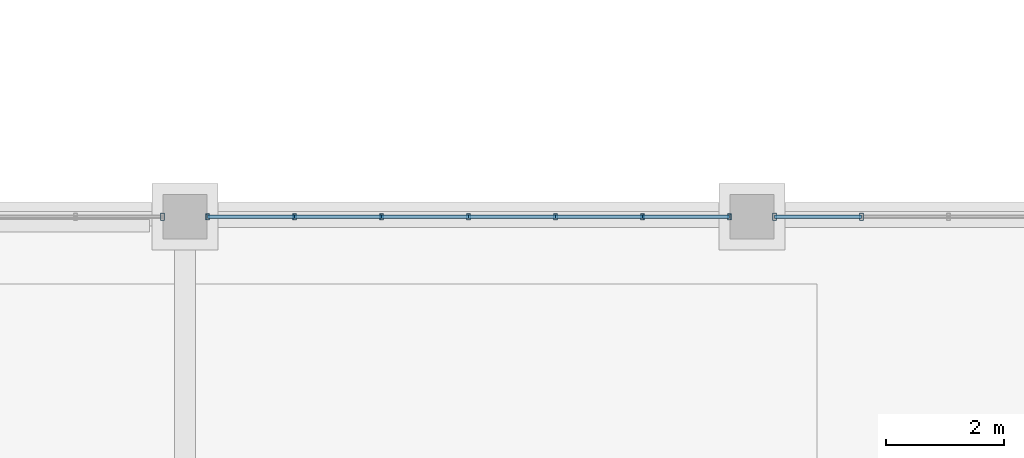
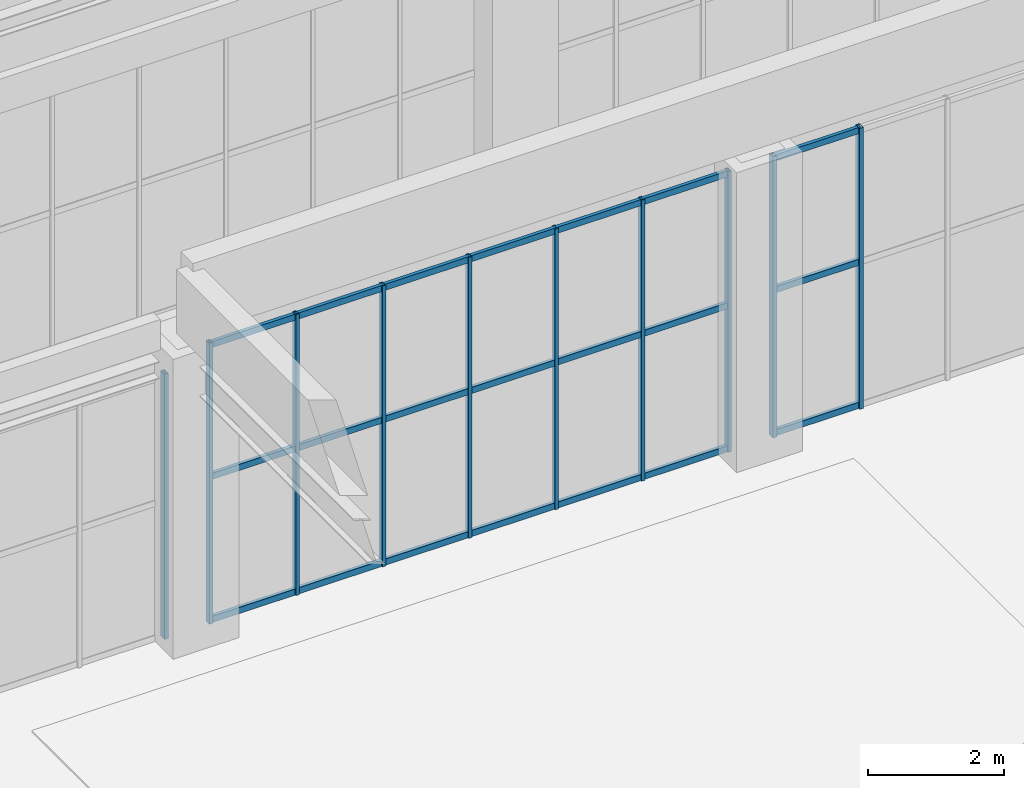
# One storey, part 95 of 164: 31 members, 3 elements without a shape of their own.
"""IFC4 building model written with IfcOpenShell, lengths in metres."""

from ifc_helpers import new_model, si_unit, direction, frame, origin, origin_2d, place, context, subcontext, project, spatial, hollow_rectangle, extrude, material, material_profile, profile_set, type_object, element, aggregate, save


model = new_model("IFC4")

# Units and contexts
model_context = context("Model", 3, precision=1e-05, world=origin(), true_north=direction((0.0, 1.0)))
body_context = subcontext(model_context, "Body", "Model", "MODEL_VIEW")
ifc_project = project(units=[si_unit("LENGTHUNIT", "METRE"), si_unit("AREAUNIT", "SQUARE_METRE"), si_unit("VOLUMEUNIT", "CUBIC_METRE"), si_unit("PLANEANGLEUNIT", "RADIAN"), si_unit("MASSUNIT", "GRAM", prefix="KILO")], contexts=[model_context])

# Site, building, storey
site_placement = place(None, origin())
site = spatial("IfcSite", under=ifc_project, at=site_placement, CompositionType="ELEMENT")
building_placement = place(site_placement, origin())
building = spatial("IfcBuilding", under=site, at=building_placement, Name="Mavantir Sound Aquarium", CompositionType="ELEMENT")
storey_placement = place(building_placement, origin())
storey = spatial("IfcBuildingStorey", under=building, at=storey_placement, Name="L00", CompositionType="ELEMENT", Elevation=0.0)

# Curtain wall, members
ifc_material_1 = material(Name="Anodised Marine Aluminium and Low-E Glass", Category="aluminium")
curtain_wall_type_1 = type_object("IfcCurtainWallType", Name="CW-T01", PredefinedType="USERDEFINED", material=ifc_material_1)
curtain_wall_1_placement = place(storey_placement, origin())
curtain_wall_1 = element("IfcCurtainWall", 1, at=curtain_wall_1_placement, inside=storey, type_object=curtain_wall_type_1, Name="L00 unitised curtain wall CW-01 49", ObjectType="UNITISED GLAZING", PredefinedType="USERDEFINED")
ifc_material_2 = material(Name="Anodised Marine Aluminium 6063-T6", Category="aluminium")
ifc_material_profile_1 = material_profile(ifc_material_2, hollow_rectangle(XDim=0.06005859375, YDim=0.10009765625, WallThickness=0.00390625, at=origin_2d()), Name="ALU-MULLION-100X60")
ifc_profile_set_1 = profile_set([ifc_material_profile_1], Name="Anodised Marine Aluminium 6063-T6")
member_type_1 = type_object("IfcMemberType", Name="CW-MUL-100", PredefinedType="MULLION", material=ifc_profile_set_1)
member_1_placement = place(storey_placement, frame((155.616943359375, 28.800048828125, 0.0), z_axis=(0.0, 0.0, 1.0), x_axis=(1.0, 0.0, 0.0)))
member_1 = element("IfcMember", 2, at=member_1_placement, type_object=member_type_1, Name="CW-L00-049 vertical mullion 1", PredefinedType="MULLION", context=body_context, shape_type="SweptSolid", body=[
    extrude(hollow_rectangle(XDim=0.06005859375, YDim=0.10009765625, WallThickness=0.00390625, at=origin_2d()), origin(), (0.0, 0.0, 1.0), 5.06005859375),
])
member_2_placement = place(storey_placement, frame((154.144775390625, 28.800048828125, 0.0), z_axis=(0.0, 0.0, 1.0), x_axis=(1.0, 0.0, 0.0)))
member_2 = element("IfcMember", 3, at=member_2_placement, type_object=member_type_1, Name="CW-L00-049 vertical mullion 2", PredefinedType="MULLION", context=body_context, shape_type="SweptSolid", body=[
    extrude(hollow_rectangle(XDim=0.06005859375, YDim=0.10009765625, WallThickness=0.00390625, at=origin_2d()), origin(), (0.0, 0.0, 1.0), 5.06005859375),
])
member_3_placement = place(storey_placement, frame((152.67236328125, 28.800048828125, 0.0), z_axis=(0.0, 0.0, 1.0), x_axis=(1.0, 0.0, 0.0)))
member_3 = element("IfcMember", 4, at=member_3_placement, type_object=member_type_1, Name="CW-L00-049 vertical mullion 3", PredefinedType="MULLION", context=body_context, shape_type="SweptSolid", body=[
    extrude(hollow_rectangle(XDim=0.06005859375, YDim=0.10009765625, WallThickness=0.00390625, at=origin_2d()), origin(), (0.0, 0.0, 1.0), 5.06005859375),
])
member_4_placement = place(storey_placement, frame((151.199951171875, 28.800048828125, 0.0), z_axis=(0.0, 0.0, 1.0), x_axis=(1.0, 0.0, 0.0)))
member_4 = element("IfcMember", 5, at=member_4_placement, type_object=member_type_1, Name="CW-L00-049 vertical mullion 4", PredefinedType="MULLION", context=body_context, shape_type="SweptSolid", body=[
    extrude(hollow_rectangle(XDim=0.06005859375, YDim=0.10009765625, WallThickness=0.00390625, at=origin_2d()), origin(), (0.0, 0.0, 1.0), 5.06005859375),
])
member_5_placement = place(storey_placement, frame((149.727783203125, 28.800048828125, 0.0), z_axis=(0.0, 0.0, 1.0), x_axis=(1.0, 0.0, 0.0)))
member_5 = element("IfcMember", 6, at=member_5_placement, type_object=member_type_1, Name="CW-L00-049 vertical mullion 5", PredefinedType="MULLION", context=body_context, shape_type="SweptSolid", body=[
    extrude(hollow_rectangle(XDim=0.06005859375, YDim=0.10009765625, WallThickness=0.00390625, at=origin_2d()), origin(), (0.0, 0.0, 1.0), 5.06005859375),
])
member_6_placement = place(storey_placement, frame((148.25537109375, 28.800048828125, 0.0), z_axis=(0.0, 0.0, 1.0), x_axis=(1.0, 0.0, 0.0)))
member_6 = element("IfcMember", 7, at=member_6_placement, type_object=member_type_1, Name="CW-L00-049 vertical mullion 6", PredefinedType="MULLION", context=body_context, shape_type="SweptSolid", body=[
    extrude(hollow_rectangle(XDim=0.06005859375, YDim=0.10009765625, WallThickness=0.00390625, at=origin_2d()), origin(), (0.0, 0.0, 1.0), 5.06005859375),
])
member_7_placement = place(storey_placement, frame((146.782958984375, 28.800048828125, 0.0), z_axis=(0.0, 0.0, 1.0), x_axis=(1.0, 0.0, 0.0)))
member_7 = element("IfcMember", 8, at=member_7_placement, type_object=member_type_1, Name="CW-L00-049 vertical mullion 7", PredefinedType="MULLION", context=body_context, shape_type="SweptSolid", body=[
    extrude(hollow_rectangle(XDim=0.06005859375, YDim=0.10009765625, WallThickness=0.00390625, at=origin_2d()), origin(), (0.0, 0.0, 1.0), 5.06005859375),
])

curtain_wall_type_2 = type_object("IfcCurtainWallType", Name="CW-T24", PredefinedType="USERDEFINED", material=ifc_material_1)
curtain_wall_2_placement = place(storey_placement, origin())
curtain_wall_2 = element("IfcCurtainWall", 9, at=curtain_wall_2_placement, inside=storey, type_object=curtain_wall_type_2, Name="L00 unitised curtain wall CW-24 48", ObjectType="UNITISED GLAZING", PredefinedType="USERDEFINED")
ifc_material_profile_2 = material_profile(ifc_material_2, hollow_rectangle(XDim=0.06494140625, YDim=0.1201171875, WallThickness=0.00390625, at=origin_2d()), Name="ALU-MULLION-120X65")
ifc_profile_set_2 = profile_set([ifc_material_profile_2], Name="Anodised Marine Aluminium 6063-T6")
member_type_2 = type_object("IfcMemberType", Name="CW-MUL-120", PredefinedType="MULLION", material=ifc_profile_set_2)
member_8_placement = place(storey_placement, frame((157.855224609375, 28.800048828125, 0.0), z_axis=(0.0, 0.0, 1.0), x_axis=(1.0, 0.0, 0.0)))
member_8 = element("IfcMember", 10, at=member_8_placement, type_object=member_type_2, Name="CW-L00-048 vertical mullion 6", PredefinedType="MULLION", context=body_context, shape_type="SweptSolid", body=[
    extrude(hollow_rectangle(XDim=0.06494140625, YDim=0.1201171875, WallThickness=0.00390625, at=origin_2d()), origin(), (0.0, 0.0, 1.0), 5.06005859375),
])
member_9_placement = place(storey_placement, frame((156.383056640625, 28.800048828125, 0.0), z_axis=(0.0, 0.0, 1.0), x_axis=(1.0, 0.0, 0.0)))
member_9 = element("IfcMember", 11, at=member_9_placement, type_object=member_type_2, Name="CW-L00-048 vertical mullion 7", PredefinedType="MULLION", context=body_context, shape_type="SweptSolid", body=[
    extrude(hollow_rectangle(XDim=0.06494140625, YDim=0.1201171875, WallThickness=0.00390625, at=origin_2d()), origin(), (0.0, 0.0, 1.0), 5.06005859375),
])

# Curtain wall, member
curtain_wall_type_3 = type_object("IfcCurtainWallType", Name="CW-T02", PredefinedType="USERDEFINED", material=ifc_material_1)
curtain_wall_3_placement = place(storey_placement, origin())
curtain_wall_3 = element("IfcCurtainWall", 12, at=curtain_wall_3_placement, inside=storey, type_object=curtain_wall_type_3, Name="L00 unitised curtain wall CW-02 50", ObjectType="UNITISED GLAZING", PredefinedType="USERDEFINED")
member_10_placement = place(storey_placement, frame((146.01708984375, 28.800048828125, 0.0), z_axis=(0.0, 0.0, 1.0), x_axis=(1.0, 0.0, 0.0)))
member_10 = element("IfcMember", 13, at=member_10_placement, type_object=member_type_2, Name="CW-L00-050 vertical mullion 1", PredefinedType="MULLION", context=body_context, shape_type="SweptSolid", body=[
    extrude(hollow_rectangle(XDim=0.06494140625, YDim=0.1201171875, WallThickness=0.00390625, at=origin_2d()), origin(), (0.0, 0.0, 1.0), 4.778076171875),
])
aggregate(curtain_wall_3, [member_10])

# Member
ifc_material_profile_3 = material_profile(ifc_material_2, hollow_rectangle(XDim=0.06005859375, YDim=0.110107421875, WallThickness=0.00390625, at=origin_2d()), Name="ALU-TRANSOM-110X60")
ifc_profile_set_3 = profile_set([ifc_material_profile_3], Name="Anodised Marine Aluminium 6063-T6")
member_type_3 = type_object("IfcMemberType", Name="CW-TRN-110", PredefinedType="USERDEFINED", material=ifc_profile_set_3)
member_11_placement = place(storey_placement, frame((157.855224609375, 28.800048828125, 0.054931640625), z_axis=(-1.0, 0.0, 0.0), x_axis=(0.0, -1.0, 0.0)))
member_11 = element("IfcMember", 14, at=member_11_placement, type_object=member_type_3, Name="CW-L00-048 transom 6.1", ObjectType="TRANSOM", PredefinedType="USERDEFINED", context=body_context, shape_type="SweptSolid", body=[
    extrude(hollow_rectangle(XDim=0.06005859375, YDim=0.110107421875, WallThickness=0.00390625, at=origin_2d()), origin(), (0.0, 0.0, 1.0), 1.47216796875),
])

member_12_placement = place(storey_placement, frame((157.855224609375, 28.800048828125, 2.631103515625), z_axis=(-1.0, 0.0, 0.0), x_axis=(0.0, -1.0, 0.0)))
member_12 = element("IfcMember", 15, at=member_12_placement, type_object=member_type_3, Name="CW-L00-048 transom 6.2", ObjectType="TRANSOM", PredefinedType="USERDEFINED", context=body_context, shape_type="SweptSolid", body=[
    extrude(hollow_rectangle(XDim=0.06005859375, YDim=0.110107421875, WallThickness=0.00390625, at=origin_2d()), origin(), (0.0, 0.0, 1.0), 1.47216796875),
])

member_13_placement = place(storey_placement, frame((157.855224609375, 28.800048828125, 5.0048828125), z_axis=(-1.0, 0.0, 0.0), x_axis=(0.0, -1.0, 0.0)))
member_13 = element("IfcMember", 16, at=member_13_placement, type_object=member_type_3, Name="CW-L00-048 transom 6.3", ObjectType="TRANSOM", PredefinedType="USERDEFINED", context=body_context, shape_type="SweptSolid", body=[
    extrude(hollow_rectangle(XDim=0.06005859375, YDim=0.110107421875, WallThickness=0.00390625, at=origin_2d()), origin(), (0.0, 0.0, 1.0), 1.47216796875),
])

aggregate(curtain_wall_2, [member_8, member_9, member_11, member_12, member_13])

member_14_placement = place(storey_placement, frame((155.616943359375, 28.800048828125, 0.054931640625), z_axis=(-1.0, 0.0, 0.0), x_axis=(0.0, -1.0, 0.0)))
member_14 = element("IfcMember", 17, at=member_14_placement, type_object=member_type_3, Name="CW-L00-049 transom 1.1", ObjectType="TRANSOM", PredefinedType="USERDEFINED", context=body_context, shape_type="SweptSolid", body=[
    extrude(hollow_rectangle(XDim=0.06005859375, YDim=0.110107421875, WallThickness=0.00390625, at=origin_2d()), origin(), (0.0, 0.0, 1.0), 1.47216796875),
])

member_15_placement = place(storey_placement, frame((155.616943359375, 28.800048828125, 2.631103515625), z_axis=(-1.0, 0.0, 0.0), x_axis=(0.0, -1.0, 0.0)))
member_15 = element("IfcMember", 18, at=member_15_placement, type_object=member_type_3, Name="CW-L00-049 transom 1.2", ObjectType="TRANSOM", PredefinedType="USERDEFINED", context=body_context, shape_type="SweptSolid", body=[
    extrude(hollow_rectangle(XDim=0.06005859375, YDim=0.110107421875, WallThickness=0.00390625, at=origin_2d()), origin(), (0.0, 0.0, 1.0), 1.47216796875),
])

member_16_placement = place(storey_placement, frame((155.616943359375, 28.800048828125, 5.0048828125), z_axis=(-1.0, 0.0, 0.0), x_axis=(0.0, -1.0, 0.0)))
member_16 = element("IfcMember", 19, at=member_16_placement, type_object=member_type_3, Name="CW-L00-049 transom 1.3", ObjectType="TRANSOM", PredefinedType="USERDEFINED", context=body_context, shape_type="SweptSolid", body=[
    extrude(hollow_rectangle(XDim=0.06005859375, YDim=0.110107421875, WallThickness=0.00390625, at=origin_2d()), origin(), (0.0, 0.0, 1.0), 1.47216796875),
])

member_17_placement = place(storey_placement, frame((154.144775390625, 28.800048828125, 0.054931640625), z_axis=(-1.0, 0.0, 0.0), x_axis=(0.0, -1.0, 0.0)))
member_17 = element("IfcMember", 20, at=member_17_placement, type_object=member_type_3, Name="CW-L00-049 transom 2.1", ObjectType="TRANSOM", PredefinedType="USERDEFINED", context=body_context, shape_type="SweptSolid", body=[
    extrude(hollow_rectangle(XDim=0.06005859375, YDim=0.110107421875, WallThickness=0.00390625, at=origin_2d()), origin(), (0.0, 0.0, 1.0), 1.472412109375),
])

member_18_placement = place(storey_placement, frame((154.144775390625, 28.800048828125, 2.631103515625), z_axis=(-1.0, 0.0, 0.0), x_axis=(0.0, -1.0, 0.0)))
member_18 = element("IfcMember", 21, at=member_18_placement, type_object=member_type_3, Name="CW-L00-049 transom 2.2", ObjectType="TRANSOM", PredefinedType="USERDEFINED", context=body_context, shape_type="SweptSolid", body=[
    extrude(hollow_rectangle(XDim=0.06005859375, YDim=0.110107421875, WallThickness=0.00390625, at=origin_2d()), origin(), (0.0, 0.0, 1.0), 1.472412109375),
])

member_19_placement = place(storey_placement, frame((154.144775390625, 28.800048828125, 5.0048828125), z_axis=(-1.0, 0.0, 0.0), x_axis=(0.0, -1.0, 0.0)))
member_19 = element("IfcMember", 22, at=member_19_placement, type_object=member_type_3, Name="CW-L00-049 transom 2.3", ObjectType="TRANSOM", PredefinedType="USERDEFINED", context=body_context, shape_type="SweptSolid", body=[
    extrude(hollow_rectangle(XDim=0.06005859375, YDim=0.110107421875, WallThickness=0.00390625, at=origin_2d()), origin(), (0.0, 0.0, 1.0), 1.472412109375),
])

member_20_placement = place(storey_placement, frame((152.67236328125, 28.800048828125, 0.054931640625), z_axis=(-1.0, 0.0, 0.0), x_axis=(0.0, -1.0, 0.0)))
member_20 = element("IfcMember", 23, at=member_20_placement, type_object=member_type_3, Name="CW-L00-049 transom 3.1", ObjectType="TRANSOM", PredefinedType="USERDEFINED", context=body_context, shape_type="SweptSolid", body=[
    extrude(hollow_rectangle(XDim=0.06005859375, YDim=0.110107421875, WallThickness=0.00390625, at=origin_2d()), origin(), (0.0, 0.0, 1.0), 1.472412109375),
])

member_21_placement = place(storey_placement, frame((152.67236328125, 28.800048828125, 2.631103515625), z_axis=(-1.0, 0.0, 0.0), x_axis=(0.0, -1.0, 0.0)))
member_21 = element("IfcMember", 24, at=member_21_placement, type_object=member_type_3, Name="CW-L00-049 transom 3.2", ObjectType="TRANSOM", PredefinedType="USERDEFINED", context=body_context, shape_type="SweptSolid", body=[
    extrude(hollow_rectangle(XDim=0.06005859375, YDim=0.110107421875, WallThickness=0.00390625, at=origin_2d()), origin(), (0.0, 0.0, 1.0), 1.472412109375),
])

member_22_placement = place(storey_placement, frame((152.67236328125, 28.800048828125, 5.0048828125), z_axis=(-1.0, 0.0, 0.0), x_axis=(0.0, -1.0, 0.0)))
member_22 = element("IfcMember", 25, at=member_22_placement, type_object=member_type_3, Name="CW-L00-049 transom 3.3", ObjectType="TRANSOM", PredefinedType="USERDEFINED", context=body_context, shape_type="SweptSolid", body=[
    extrude(hollow_rectangle(XDim=0.06005859375, YDim=0.110107421875, WallThickness=0.00390625, at=origin_2d()), origin(), (0.0, 0.0, 1.0), 1.472412109375),
])

member_23_placement = place(storey_placement, frame((151.199951171875, 28.800048828125, 0.054931640625), z_axis=(-1.0, 0.0, 0.0), x_axis=(0.0, -1.0, 0.0)))
member_23 = element("IfcMember", 26, at=member_23_placement, type_object=member_type_3, Name="CW-L00-049 transom 4.1", ObjectType="TRANSOM", PredefinedType="USERDEFINED", context=body_context, shape_type="SweptSolid", body=[
    extrude(hollow_rectangle(XDim=0.06005859375, YDim=0.110107421875, WallThickness=0.00390625, at=origin_2d()), origin(), (0.0, 0.0, 1.0), 1.47216796875),
])

member_24_placement = place(storey_placement, frame((151.199951171875, 28.800048828125, 2.631103515625), z_axis=(-1.0, 0.0, 0.0), x_axis=(0.0, -1.0, 0.0)))
member_24 = element("IfcMember", 27, at=member_24_placement, type_object=member_type_3, Name="CW-L00-049 transom 4.2", ObjectType="TRANSOM", PredefinedType="USERDEFINED", context=body_context, shape_type="SweptSolid", body=[
    extrude(hollow_rectangle(XDim=0.06005859375, YDim=0.110107421875, WallThickness=0.00390625, at=origin_2d()), origin(), (0.0, 0.0, 1.0), 1.47216796875),
])

member_25_placement = place(storey_placement, frame((151.199951171875, 28.800048828125, 5.0048828125), z_axis=(-1.0, 0.0, 0.0), x_axis=(0.0, -1.0, 0.0)))
member_25 = element("IfcMember", 28, at=member_25_placement, type_object=member_type_3, Name="CW-L00-049 transom 4.3", ObjectType="TRANSOM", PredefinedType="USERDEFINED", context=body_context, shape_type="SweptSolid", body=[
    extrude(hollow_rectangle(XDim=0.06005859375, YDim=0.110107421875, WallThickness=0.00390625, at=origin_2d()), origin(), (0.0, 0.0, 1.0), 1.47216796875),
])

member_26_placement = place(storey_placement, frame((149.727783203125, 28.800048828125, 0.054931640625), z_axis=(-1.0, 0.0, 0.0), x_axis=(0.0, -1.0, 0.0)))
member_26 = element("IfcMember", 29, at=member_26_placement, type_object=member_type_3, Name="CW-L00-049 transom 5.1", ObjectType="TRANSOM", PredefinedType="USERDEFINED", context=body_context, shape_type="SweptSolid", body=[
    extrude(hollow_rectangle(XDim=0.06005859375, YDim=0.110107421875, WallThickness=0.00390625, at=origin_2d()), origin(), (0.0, 0.0, 1.0), 1.472412109375),
])

member_27_placement = place(storey_placement, frame((149.727783203125, 28.800048828125, 2.631103515625), z_axis=(-1.0, 0.0, 0.0), x_axis=(0.0, -1.0, 0.0)))
member_27 = element("IfcMember", 30, at=member_27_placement, type_object=member_type_3, Name="CW-L00-049 transom 5.2", ObjectType="TRANSOM", PredefinedType="USERDEFINED", context=body_context, shape_type="SweptSolid", body=[
    extrude(hollow_rectangle(XDim=0.06005859375, YDim=0.110107421875, WallThickness=0.00390625, at=origin_2d()), origin(), (0.0, 0.0, 1.0), 1.472412109375),
])

member_28_placement = place(storey_placement, frame((149.727783203125, 28.800048828125, 5.0048828125), z_axis=(-1.0, 0.0, 0.0), x_axis=(0.0, -1.0, 0.0)))
member_28 = element("IfcMember", 31, at=member_28_placement, type_object=member_type_3, Name="CW-L00-049 transom 5.3", ObjectType="TRANSOM", PredefinedType="USERDEFINED", context=body_context, shape_type="SweptSolid", body=[
    extrude(hollow_rectangle(XDim=0.06005859375, YDim=0.110107421875, WallThickness=0.00390625, at=origin_2d()), origin(), (0.0, 0.0, 1.0), 1.472412109375),
])

member_29_placement = place(storey_placement, frame((148.25537109375, 28.800048828125, 0.054931640625), z_axis=(-1.0, 0.0, 0.0), x_axis=(0.0, -1.0, 0.0)))
member_29 = element("IfcMember", 32, at=member_29_placement, type_object=member_type_3, Name="CW-L00-049 transom 6.1", ObjectType="TRANSOM", PredefinedType="USERDEFINED", context=body_context, shape_type="SweptSolid", body=[
    extrude(hollow_rectangle(XDim=0.06005859375, YDim=0.110107421875, WallThickness=0.00390625, at=origin_2d()), origin(), (0.0, 0.0, 1.0), 1.472412109375),
])

member_30_placement = place(storey_placement, frame((148.25537109375, 28.800048828125, 2.631103515625), z_axis=(-1.0, 0.0, 0.0), x_axis=(0.0, -1.0, 0.0)))
member_30 = element("IfcMember", 33, at=member_30_placement, type_object=member_type_3, Name="CW-L00-049 transom 6.2", ObjectType="TRANSOM", PredefinedType="USERDEFINED", context=body_context, shape_type="SweptSolid", body=[
    extrude(hollow_rectangle(XDim=0.06005859375, YDim=0.110107421875, WallThickness=0.00390625, at=origin_2d()), origin(), (0.0, 0.0, 1.0), 1.472412109375),
])

member_31_placement = place(storey_placement, frame((148.25537109375, 28.800048828125, 5.0048828125), z_axis=(-1.0, 0.0, 0.0), x_axis=(0.0, -1.0, 0.0)))
member_31 = element("IfcMember", 34, at=member_31_placement, type_object=member_type_3, Name="CW-L00-049 transom 6.3", ObjectType="TRANSOM", PredefinedType="USERDEFINED", context=body_context, shape_type="SweptSolid", body=[
    extrude(hollow_rectangle(XDim=0.06005859375, YDim=0.110107421875, WallThickness=0.00390625, at=origin_2d()), origin(), (0.0, 0.0, 1.0), 1.472412109375),
])

aggregate(curtain_wall_1, [member_1, member_2, member_3, member_4, member_5, member_6, member_7, member_14, member_15, member_16, member_17, member_18, member_19, member_20, member_21, member_22, member_23, member_24, member_25, member_26, member_27, member_28, member_29, member_30, member_31])

save(model, "model.ifc")
